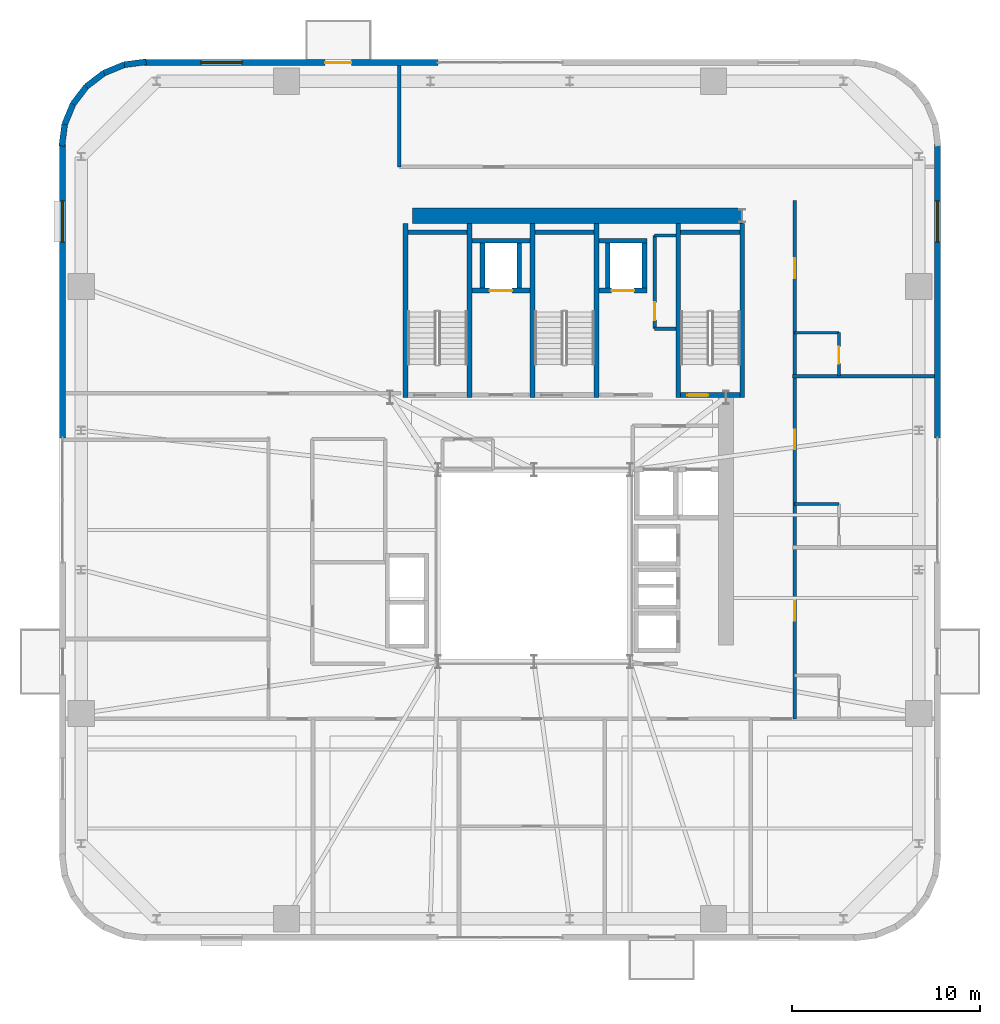
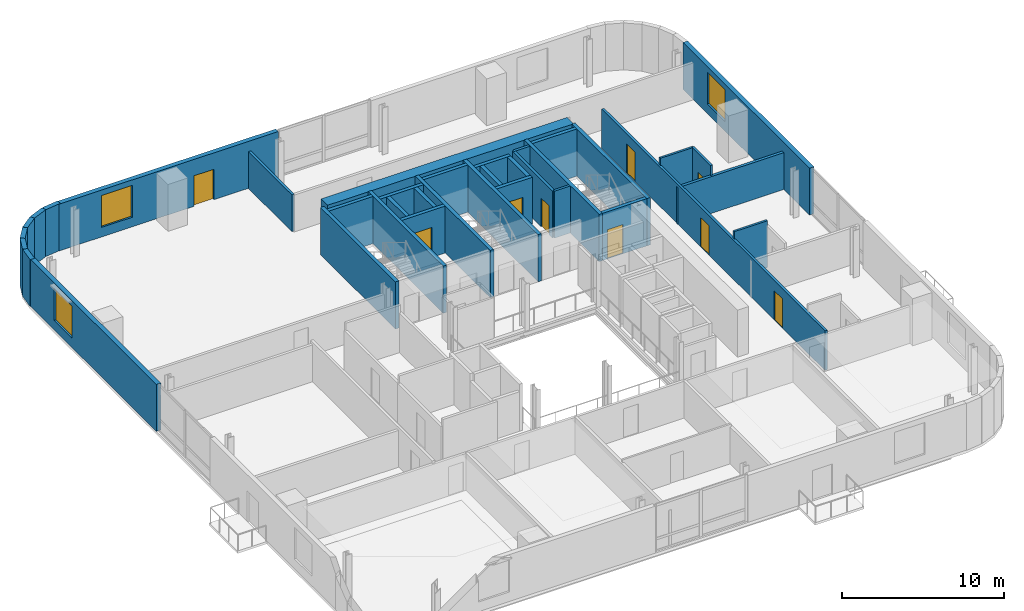
# One storey, part 10 of 16: 37 walls, 9 doors, 3 windows, 12 openings.
"""IFC4 building model written with IfcOpenShell, lengths in metres."""

from ifc_helpers import new_model, si_unit, direction, frame, frame_2d, origin, place, context, subcontext, project, spatial, rectangle, extrude, source, transform, mapped, material, layer, layer_set, type_object, element, fill, save


model = new_model("IFC4")

# Units and contexts
model_context = context("Model", 3, precision=1e-05, world=origin(), true_north=direction((0.0, 1.0)))
body_context = subcontext(model_context, "Body", "Model", "MODEL_VIEW")
ifc_project = project(units=[si_unit("LENGTHUNIT", "METRE"), si_unit("AREAUNIT", "SQUARE_METRE"), si_unit("VOLUMEUNIT", "CUBIC_METRE"), si_unit("PLANEANGLEUNIT", "RADIAN"), si_unit("MASSUNIT", "GRAM", prefix="KILO")], contexts=[model_context])

# Site, building, storey
site_placement = place(None, origin())
site = spatial("IfcSite", under=ifc_project, at=site_placement, CompositionType="ELEMENT")
building_placement = place(site_placement, origin())
building = spatial("IfcBuilding", under=site, at=building_placement, Name="Vardaveli Station Tower", CompositionType="ELEMENT")
storey_placement = place(building_placement, frame((0.0, 0.0, 192.300048828125)))
storey = spatial("IfcBuildingStorey", under=building, at=storey_placement, Name="L49", CompositionType="ELEMENT", Elevation=192.300048828125)

# Wall
ifc_material_1 = material(Name="Concrete C50/60", Category="concrete")
ifc_layer_1 = layer(ifc_material_1, 0.800048828125, Name="Concrete C50/60")
ifc_layer_set_1 = layer_set([ifc_layer_1], Name="Concrete C50/60")
wall_type_1 = type_object("IfcWallType", Name="WAL-CORE-800", PredefinedType="SHEAR", material=ifc_layer_set_1)
shared_shape_1 = source(origin(), body_context, "Body", "SweptSolid", [
    extrude(rectangle(XDim=17.52001953125, YDim=0.800048828125, at=frame_2d((8.760009765625, 0.0))), origin(), (0.0, 0.0, 1.0), 3.530029296875),
])
wall_1_placement = place(storey_placement, frame((29.85009765625, 40.300048828125, 0.0), z_axis=(0.0, 0.0, 1.0), x_axis=(1.0, 0.0, 0.0)))
element("IfcWall", 1, at=wall_1_placement, inside=storey, type_object=wall_type_1, Name="SW-L49-NORTH", PredefinedType="SHEAR", context=body_context, shape_type="MappedRepresentation", body=[
    mapped(shared_shape_1, transform((0.0, 0.0, 0.0), scale=1.0)),
])

# Wall, openings, door, window
ifc_material_2 = material(Name="Precast concrete C45/55", Category="concrete")
ifc_layer_2 = layer(ifc_material_2, 0.320068359375, Name="Precast concrete C45/55")
ifc_layer_set_2 = layer_set([ifc_layer_2], Name="Precast concrete C45/55")
wall_type_2 = type_object("IfcWallType", Name="WAL-EXT-STONE-320", PredefinedType="SOLIDWALL", material=ifc_layer_set_2)
shared_shape_2 = source(origin(), body_context, "Body", "SweptSolid", [
    extrude(rectangle(XDim=15.599853515625, YDim=0.320068359375, at=frame_2d((7.7998046875, 0.0))), origin(), (0.0, 0.0, 1.0), 3.530029296875),
])
wall_2_placement = place(storey_placement, frame((31.199951171875, 48.43994140625, 0.0), z_axis=(0.0, 0.0, 1.0), x_axis=(-1.0, 0.0, 0.0)))
wall_2 = element("IfcWall", 2, at=wall_2_placement, inside=storey, type_object=wall_type_2, Name="EW-L49-N2", PredefinedType="SOLIDWALL", context=body_context, shape_type="MappedRepresentation", body=[
    mapped(shared_shape_2, transform((0.0, 0.0, 0.0), scale=1.0)),
])
shared_shape_3 = source(origin(), body_context, "Body", "SweptSolid", [
    extrude(rectangle(XDim=1.39990234375, YDim=2.300048828125, at=frame_2d((0.699951171875, 1.14990234375))), frame((0.0, 0.169921875, 0.0), z_axis=(0.0, -1.0, 0.0), x_axis=(1.0, 0.0, 0.0)), (0.0, 0.0, 1.0), 0.340087890625),
])
opening_1_placement = place(wall_2_placement, frame((4.589599609375, 0.0, 0.0)))
opening_1 = element("IfcOpeningElement", 3, at=opening_1_placement, cuts=wall_2, Name="Opening D-09", PredefinedType="OPENING", context=body_context, shape_type="MappedRepresentation", body=[
    mapped(shared_shape_3, transform((0.0, 0.0, 0.0), scale=1.0)),
])
shared_shape_4 = source(origin(), body_context, "Body", "SweptSolid", [
    extrude(rectangle(XDim=2.199951171875, YDim=2.39990234375, at=frame_2d((1.10009765625, 1.199951171875))), frame((0.0, 0.169921875, 0.0), z_axis=(0.0, -1.0, 0.0), x_axis=(1.0, 0.0, 0.0)), (0.0, 0.0, 1.0), 0.340087890625),
])
opening_2_placement = place(wall_2_placement, frame((10.39501953125, 0.0, 0.719970703125)))
opening_2 = element("IfcOpeningElement", 4, at=opening_2_placement, cuts=wall_2, Name="Opening W-03", PredefinedType="OPENING", context=body_context, shape_type="MappedRepresentation", body=[
    mapped(shared_shape_4, transform((0.0, 0.0, 0.0), scale=1.0)),
])
ifc_material_3 = material(Name="Thermally broken aluminium glass", Category="aluminium")
door_type_1 = type_object("IfcDoorType", Name="DR-LOG-1400x2300", OperationType="DOUBLE_DOOR_SLIDING", PredefinedType="DOOR", material=ifc_material_3)
shared_shape_5 = source(origin(), body_context, "Body", "SweptSolid", [
    extrude(rectangle(XDim=1.39990234375, YDim=2.300048828125, at=frame_2d((0.699951171875, 1.14990234375))), frame((0.0, 0.02490234375, 0.0), z_axis=(0.0, -1.0, 0.0), x_axis=(1.0, 0.0, 0.0)), (0.0, 0.0, 1.0), 0.050048828125),
])
door_1_placement = place(opening_1_placement, frame((1.39990234375, 0.0, 0.0), z_axis=(0.0, 0.0, 1.0), x_axis=(-1.0, 0.0, 0.0)))
door_1 = element("IfcDoor", 5, at=door_1_placement, inside=storey, type_object=door_type_1, Name="DLG-L49-N", OperationType="DOUBLE_DOOR_SLIDING", OverallHeight=2.300048828125, OverallWidth=1.39990234375, PredefinedType="DOOR", context=body_context, shape_type="MappedRepresentation", body=[
    mapped(shared_shape_5, transform((0.0, 0.0, 0.0), scale=1.0)),
])
fill(opening_1, door_1)
ifc_material_4 = material(Name="Low-E solar-control glass", Category="glass")
window_type = type_object("IfcWindowType", Name="WIN-LOG-2200x2400", PartitioningType="SINGLE_PANEL", PredefinedType="WINDOW", material=ifc_material_4)
shared_shape_6 = source(origin(), body_context, "Body", "SweptSolid", [
    extrude(rectangle(XDim=2.199951171875, YDim=2.39990234375, at=frame_2d((1.10009765625, 1.199951171875))), frame((0.0, 0.030029296875, 0.0), z_axis=(0.0, -1.0, 0.0), x_axis=(1.0, 0.0, 0.0)), (0.0, 0.0, 1.0), 0.06005859375),
])
window_1_placement = place(opening_2_placement, origin())
window_1 = element("IfcWindow", 6, at=window_1_placement, inside=storey, type_object=window_type, Name="WN-L49-N2", OverallHeight=2.39990234375, OverallWidth=2.199951171875, PartitioningType="SINGLE_PANEL", PredefinedType="WINDOW", context=body_context, shape_type="MappedRepresentation", body=[
    mapped(shared_shape_6, transform((0.0, 0.0, 0.0), scale=1.0)),
])
fill(opening_2, window_1)

# Wall, opening, window
shared_shape_7 = source(origin(), body_context, "Body", "SweptSolid", [
    extrude(rectangle(XDim=15.60009765625, YDim=0.320068359375, at=frame_2d((7.800048828125, 0.0))), origin(), (0.0, 0.0, 1.0), 3.530029296875),
])
wall_3_placement = place(storey_placement, frame((11.260009765625, 44.10009765625, 0.0), z_axis=(0.0, 0.0, 1.0), x_axis=(0.0, -1.0, 0.0)))
wall_3 = element("IfcWall", 7, at=wall_3_placement, inside=storey, type_object=wall_type_2, Name="EW-L49-W1", PredefinedType="SOLIDWALL", context=body_context, shape_type="MappedRepresentation", body=[
    mapped(shared_shape_7, transform((0.0, 0.0, 0.0), scale=1.0)),
])
opening_3_placement = place(wall_3_placement, frame((3.0048828125, 0.0, 0.719970703125)))
opening_3 = element("IfcOpeningElement", 8, at=opening_3_placement, cuts=wall_3, Name="Opening W-03", PredefinedType="OPENING", context=body_context, shape_type="MappedRepresentation", body=[
    mapped(shared_shape_4, transform((0.0, 0.0, 0.0), scale=1.0)),
])
window_2_placement = place(opening_3_placement, origin())
window_2 = element("IfcWindow", 9, at=window_2_placement, inside=storey, type_object=window_type, Name="WN-L49-W1", OverallHeight=2.39990234375, OverallWidth=2.199951171875, PartitioningType="SINGLE_PANEL", PredefinedType="WINDOW", context=body_context, shape_type="MappedRepresentation", body=[
    mapped(shared_shape_6, transform((0.0, 0.0, 0.0), scale=1.0)),
])
fill(opening_3, window_2)

wall_4_placement = place(storey_placement, frame((57.739990234375, 28.5, 0.0), z_axis=(0.0, 0.0, 1.0), x_axis=(0.0, 1.0, 0.0)))
wall_4 = element("IfcWall", 10, at=wall_4_placement, inside=storey, type_object=wall_type_2, Name="EW-L49-E2", PredefinedType="SOLIDWALL", context=body_context, shape_type="MappedRepresentation", body=[
    mapped(shared_shape_7, transform((0.0, 0.0, 0.0), scale=1.0)),
])
opening_4_placement = place(wall_4_placement, frame((10.39501953125, 0.0, 0.719970703125)))
opening_4 = element("IfcOpeningElement", 11, at=opening_4_placement, cuts=wall_4, Name="Opening W-03", PredefinedType="OPENING", context=body_context, shape_type="MappedRepresentation", body=[
    mapped(shared_shape_4, transform((0.0, 0.0, 0.0), scale=1.0)),
])
window_3_placement = place(opening_4_placement, origin())
window_3 = element("IfcWindow", 12, at=window_3_placement, inside=storey, type_object=window_type, Name="WN-L49-E2", OverallHeight=2.39990234375, OverallWidth=2.199951171875, PartitioningType="SINGLE_PANEL", PredefinedType="WINDOW", context=body_context, shape_type="MappedRepresentation", body=[
    mapped(shared_shape_6, transform((0.0, 0.0, 0.0), scale=1.0)),
])
fill(opening_4, window_3)

# Walls
shared_shape_8 = source(origin(), body_context, "Body", "SweptSolid", [
    extrude(rectangle(XDim=1.1689453125, YDim=0.320068359375, at=frame_2d((0.58447265625, 0.0))), origin(), (0.0, 0.0, 1.0), 3.530029296875),
])
wall_5_placement = place(storey_placement, frame((12.53125, 47.1689453125, 0.0), z_axis=(0.0, 0.0, 1.0), x_axis=(-0.608387696831, -0.793639975269, 0.0)))
element("IfcWall", 13, at=wall_5_placement, inside=storey, type_object=wall_type_2, Name="EW-L49-CR4-4", PredefinedType="SOLIDWALL", context=body_context, shape_type="MappedRepresentation", body=[
    mapped(shared_shape_8, transform((0.0, 0.0, 0.0), scale=1.0)),
])
shared_shape_9 = source(origin(), body_context, "Body", "SweptSolid", [
    extrude(rectangle(XDim=1.168701171875, YDim=0.320068359375, at=frame_2d((0.58447265625, 0.0))), origin(), (0.0, 0.0, 1.0), 3.530029296875),
])
wall_6_placement = place(storey_placement, frame((13.458740234375, 47.8798828125, 0.0), z_axis=(0.0, 0.0, 1.0), x_axis=(-0.793663520347, -0.608356981114, 0.0)))
element("IfcWall", 14, at=wall_6_placement, inside=storey, type_object=wall_type_2, Name="EW-L49-CR4-3", PredefinedType="SOLIDWALL", context=body_context, shape_type="MappedRepresentation", body=[
    mapped(shared_shape_9, transform((0.0, 0.0, 0.0), scale=1.0)),
])
shared_shape_10 = source(origin(), body_context, "Body", "SweptSolid", [
    extrude(rectangle(XDim=1.17041015625, YDim=0.320068359375, at=frame_2d((0.585205078125, 0.0))), origin(), (0.0, 0.0, 1.0), 3.530029296875),
])
for number, where, z_axis, x_axis, name in (
    (15, (15.700439453125, 48.4755859375, 0.0), (0.0, 0.0, 1.0), (-0.991735963317, -0.128295670475, 0.0), "EW-L49-CR4-1"),
    (16, (11.37451171875, 45.16015625, 0.0), (0.0, 0.0, 1.0), (-0.128295670475, -0.991735963317, 0.0), "EW-L49-CR4-6"),
):
    element("IfcWall", number, at=place(storey_placement, frame(where, z_axis=z_axis, x_axis=x_axis)), inside=storey, type_object=wall_type_2, Name=name, PredefinedType="SOLIDWALL", context=body_context, shape_type="MappedRepresentation", body=[
        mapped(shared_shape_10, transform((0.0, 0.0, 0.0), scale=1.0)),
    ])
shared_shape_11 = source(origin(), body_context, "Body", "SweptSolid", [
    extrude(rectangle(XDim=1.169189453125, YDim=0.320068359375, at=frame_2d((0.58447265625, 0.0))), origin(), (0.0, 0.0, 1.0), 3.530029296875),
])
for number, where, z_axis, x_axis, name in (
    (17, (14.539794921875, 48.325439453125, 0.0), (0.0, 0.0, 1.0), (-0.924552646638, -0.381054331552, 0.0), "EW-L49-CR4-2"),
    (18, (11.820068359375, 46.2412109375, 0.0), (0.0, 0.0, 1.0), (-0.381054331552, -0.924552646638, 0.0), "EW-L49-CR4-5"),
):
    element("IfcWall", number, at=place(storey_placement, frame(where, z_axis=z_axis, x_axis=x_axis)), inside=storey, type_object=wall_type_2, Name=name, PredefinedType="SOLIDWALL", context=body_context, shape_type="MappedRepresentation", body=[
        mapped(shared_shape_11, transform((0.0, 0.0, 0.0), scale=1.0)),
    ])
ifc_material_5 = material(Name="Concrete C40/50", Category="concrete")
ifc_layer_3 = layer(ifc_material_5, 0.25, Name="Concrete C40/50")
ifc_layer_set_3 = layer_set([ifc_layer_3], Name="Concrete C40/50")
wall_type_3 = type_object("IfcWallType", Name="WAL-SHAFT-250", PredefinedType="SOLIDWALL", material=ifc_layer_set_3)
shared_shape_12 = source(origin(), body_context, "Body", "SweptSolid", [
    extrude(rectangle(XDim=9.25, YDim=0.25, at=frame_2d((4.625, 0.0))), origin(), (0.0, 0.0, 1.0), 3.550048828125),
])
for number, where, z_axis, x_axis, name in (
    (19, (29.47509765625, 30.64990234375, 0.0), (0.0, 0.0, 1.0), (0.0, 1.0, 0.0), "W-L49-ST-1W"),
    (20, (32.875, 30.64990234375, 0.0), (0.0, 0.0, 1.0), (0.0, 1.0, 0.0), "W-L49-ST-1E"),
    (21, (36.22509765625, 30.64990234375, 0.0), (0.0, 0.0, 1.0), (0.0, 1.0, 0.0), "W-L49-ST-2W"),
    (22, (39.625, 30.64990234375, 0.0), (0.0, 0.0, 1.0), (0.0, 1.0, 0.0), "W-L49-ST-2E"),
    (23, (43.97509765625, 30.64990234375, 0.0), (0.0, 0.0, 1.0), (0.0, 1.0, 0.0), "W-L49-ST-3W"),
    (24, (47.375, 30.64990234375, 0.0), (0.0, 0.0, 1.0), (0.0, 1.0, 0.0), "W-L49-ST-3E"),
):
    element("IfcWall", number, at=place(storey_placement, frame(where, z_axis=z_axis, x_axis=x_axis)), inside=storey, type_object=wall_type_3, Name=name, PredefinedType="SOLIDWALL", context=body_context, shape_type="MappedRepresentation", body=[
        mapped(shared_shape_12, transform((0.0, 0.0, 0.0), scale=1.0)),
    ])
shared_shape_13 = source(origin(), body_context, "Body", "SweptSolid", [
    extrude(rectangle(XDim=3.14990234375, YDim=0.25, at=frame_2d((1.574951171875, 0.0))), origin(), (0.0, 0.0, 1.0), 3.550048828125),
])
for number, where, z_axis, x_axis, name in (
    (25, (29.60009765625, 39.425048828125, 0.0), (0.0, 0.0, 1.0), (1.0, 0.0, 0.0), "W-L49-ST-1N"),
    (26, (36.35009765625, 39.425048828125, 0.0), (0.0, 0.0, 1.0), (1.0, 0.0, 0.0), "W-L49-ST-2N"),
    (27, (44.10009765625, 39.425048828125, 0.0), (0.0, 0.0, 1.0), (1.0, 0.0, 0.0), "W-L49-ST-3N"),
):
    element("IfcWall", number, at=place(storey_placement, frame(where, z_axis=z_axis, x_axis=x_axis)), inside=storey, type_object=wall_type_3, Name=name, PredefinedType="SOLIDWALL", context=body_context, shape_type="MappedRepresentation", body=[
        mapped(shared_shape_13, transform((0.0, 0.0, 0.0), scale=1.0)),
    ])

# Wall, opening, door
wall_7_placement = place(storey_placement, frame((44.10009765625, 30.77490234375, 0.0), z_axis=(0.0, 0.0, 1.0), x_axis=(1.0, 0.0, 0.0)))
wall_7 = element("IfcWall", 28, at=wall_7_placement, inside=storey, type_object=wall_type_3, Name="W-L49-ST-3S", PredefinedType="SOLIDWALL", context=body_context, shape_type="MappedRepresentation", body=[
    mapped(shared_shape_13, transform((0.0, 0.0, 0.0), scale=1.0)),
])
shared_shape_14 = source(origin(), body_context, "Body", "SweptSolid", [
    extrude(rectangle(XDim=1.10009765625, YDim=2.199951171875, at=frame_2d((0.550048828125, 1.10009765625))), frame((0.0, 0.135009765625, 0.0), z_axis=(0.0, -1.0, 0.0), x_axis=(1.0, 0.0, 0.0)), (0.0, 0.0, 1.0), 0.27001953125),
])
opening_5_placement = place(wall_7_placement, frame((0.35009765625, 0.0, 0.0)))
opening_5 = element("IfcOpeningElement", 29, at=opening_5_placement, cuts=wall_7, Name="Opening D-04", PredefinedType="OPENING", context=body_context, shape_type="MappedRepresentation", body=[
    mapped(shared_shape_14, transform((0.0, 0.0, 0.0), scale=1.0)),
])
ifc_material_6 = material(Name="Steel smokeproof fire doorset", Category="steel")
door_type_2 = type_object("IfcDoorType", Name="DR-ST-1100x2200", OperationType="NOTDEFINED", PredefinedType="DOOR", material=ifc_material_6)
shared_shape_15 = source(origin(), body_context, "Body", "SweptSolid", [
    extrude(rectangle(XDim=1.10009765625, YDim=2.199951171875, at=frame_2d((0.550048828125, 1.10009765625))), frame((0.0, 0.02490234375, 0.0), z_axis=(0.0, -1.0, 0.0), x_axis=(1.0, 0.0, 0.0)), (0.0, 0.0, 1.0), 0.050048828125),
])
door_2_placement = place(opening_5_placement, origin())
door_2 = element("IfcDoor", 30, at=door_2_placement, inside=storey, type_object=door_type_2, Name="DST-3-L49", OperationType="SINGLE_SWING_LEFT", OverallHeight=2.199951171875, OverallWidth=1.10009765625, PredefinedType="DOOR", context=body_context, shape_type="MappedRepresentation", body=[
    mapped(shared_shape_15, transform((0.0, 0.0, 0.0), scale=1.0)),
])
fill(opening_5, door_2)

shared_shape_16 = source(origin(), body_context, "Body", "SweptSolid", [
    extrude(rectangle(XDim=3.10009765625, YDim=0.25, at=frame_2d((1.550048828125, 0.0))), origin(), (0.0, 0.0, 1.0), 3.530029296875),
])
wall_8_placement = place(storey_placement, frame((33.0, 36.324951171875, 0.0), z_axis=(0.0, 0.0, 1.0), x_axis=(1.0, 0.0, 0.0)))
wall_8 = element("IfcWall", 31, at=wall_8_placement, inside=storey, type_object=wall_type_3, Name="SHW-FFL-01-L49-S", PredefinedType="SOLIDWALL", context=body_context, shape_type="MappedRepresentation", body=[
    mapped(shared_shape_16, transform((0.0, 0.0, 0.0), scale=1.0)),
])
shared_shape_17 = source(origin(), body_context, "Body", "SweptSolid", [
    extrude(rectangle(XDim=1.199951171875, YDim=2.25, at=frame_2d((0.60009765625, 1.125))), frame((0.0, 0.135009765625, 0.0), z_axis=(0.0, -1.0, 0.0), x_axis=(1.0, 0.0, 0.0)), (0.0, 0.0, 1.0), 0.27001953125),
])
opening_6_placement = place(wall_8_placement, frame((0.949951171875, 0.0, 0.0)))
opening_6 = element("IfcOpeningElement", 32, at=opening_6_placement, cuts=wall_8, Name="Opening LD-02", PredefinedType="OPENING", context=body_context, shape_type="MappedRepresentation", body=[
    mapped(shared_shape_17, transform((0.0, 0.0, 0.0), scale=1.0)),
])
ifc_material_7 = material(Name="Brushed stainless steel", Category="steel")
door_type_3 = type_object("IfcDoorType", Name="DR-LD-1200x2250", OperationType="DOUBLE_DOOR_SLIDING", PredefinedType="DOOR", material=ifc_material_7)
shared_shape_18 = source(origin(), body_context, "Body", "SweptSolid", [
    extrude(rectangle(XDim=1.199951171875, YDim=2.25, at=frame_2d((0.60009765625, 1.125))), frame((0.0, 0.02490234375, 0.0), z_axis=(0.0, -1.0, 0.0), x_axis=(1.0, 0.0, 0.0)), (0.0, 0.0, 1.0), 0.050048828125),
])
door_3_placement = place(opening_6_placement, origin())
door_3 = element("IfcDoor", 33, at=door_3_placement, inside=storey, type_object=door_type_3, Name="LD-FFL-01-L49", OperationType="DOUBLE_DOOR_SLIDING", OverallHeight=2.25, OverallWidth=1.199951171875, PredefinedType="DOOR", context=body_context, shape_type="MappedRepresentation", body=[
    mapped(shared_shape_18, transform((0.0, 0.0, 0.0), scale=1.0)),
])
fill(opening_6, door_3)

# Walls
wall_9_placement = place(storey_placement, frame((33.0, 38.97509765625, 0.0), z_axis=(0.0, 0.0, 1.0), x_axis=(1.0, 0.0, 0.0)))
element("IfcWall", 34, at=wall_9_placement, inside=storey, type_object=wall_type_3, Name="SHW-FFL-01-L49-N", PredefinedType="SOLIDWALL", context=body_context, shape_type="MappedRepresentation", body=[
    mapped(shared_shape_16, transform((0.0, 0.0, 0.0), scale=1.0)),
])
shared_shape_19 = source(origin(), body_context, "Body", "SweptSolid", [
    extrude(rectangle(XDim=2.400146484375, YDim=0.25, at=frame_2d((1.2001953125, 0.0))), origin(), (0.0, 0.0, 1.0), 3.530029296875),
])
for number, where, z_axis, x_axis, name in (
    (35, (33.574951171875, 36.449951171875, 0.0), (0.0, 0.0, 1.0), (0.0, 1.0, 0.0), "SHW-FFL-01-L49-W"),
    (36, (35.52490234375, 36.449951171875, 0.0), (0.0, 0.0, 1.0), (0.0, 1.0, 0.0), "SHW-FFL-01-L49-E"),
    (37, (40.22509765625, 36.449951171875, 0.0), (0.0, 0.0, 1.0), (0.0, 1.0, 0.0), "SHW-FFL-02-L49-W"),
    (38, (42.175048828125, 36.449951171875, 0.0), (0.0, 0.0, 1.0), (0.0, 1.0, 0.0), "SHW-FFL-02-L49-E"),
):
    element("IfcWall", number, at=place(storey_placement, frame(where, z_axis=z_axis, x_axis=x_axis)), inside=storey, type_object=wall_type_3, Name=name, PredefinedType="SOLIDWALL", context=body_context, shape_type="MappedRepresentation", body=[
        mapped(shared_shape_19, transform((0.0, 0.0, 0.0), scale=1.0)),
    ])

# Wall, opening, door
shared_shape_20 = source(origin(), body_context, "Body", "SweptSolid", [
    extrude(rectangle(XDim=2.550048828125, YDim=0.25, at=frame_2d((1.27490234375, 0.0))), origin(), (0.0, 0.0, 1.0), 3.530029296875),
])
wall_10_placement = place(storey_placement, frame((39.75, 36.324951171875, 0.0), z_axis=(0.0, 0.0, 1.0), x_axis=(1.0, 0.0, 0.0)))
wall_10 = element("IfcWall", 39, at=wall_10_placement, inside=storey, type_object=wall_type_3, Name="SHW-FFL-02-L49-S", PredefinedType="SOLIDWALL", context=body_context, shape_type="MappedRepresentation", body=[
    mapped(shared_shape_20, transform((0.0, 0.0, 0.0), scale=1.0)),
])
opening_7_placement = place(wall_10_placement, frame((0.675048828125, 0.0, 0.0)))
opening_7 = element("IfcOpeningElement", 40, at=opening_7_placement, cuts=wall_10, Name="Opening LD-02", PredefinedType="OPENING", context=body_context, shape_type="MappedRepresentation", body=[
    mapped(shared_shape_17, transform((0.0, 0.0, 0.0), scale=1.0)),
])
door_4_placement = place(opening_7_placement, origin())
door_4 = element("IfcDoor", 41, at=door_4_placement, inside=storey, type_object=door_type_3, Name="LD-FFL-02-L49", OperationType="DOUBLE_DOOR_SLIDING", OverallHeight=2.25, OverallWidth=1.199951171875, PredefinedType="DOOR", context=body_context, shape_type="MappedRepresentation", body=[
    mapped(shared_shape_18, transform((0.0, 0.0, 0.0), scale=1.0)),
])
fill(opening_7, door_4)

# Wall
wall_11_placement = place(storey_placement, frame((39.75, 38.97509765625, 0.0), z_axis=(0.0, 0.0, 1.0), x_axis=(1.0, 0.0, 0.0)))
element("IfcWall", 42, at=wall_11_placement, inside=storey, type_object=wall_type_3, Name="SHW-FFL-02-L49-N", PredefinedType="SOLIDWALL", context=body_context, shape_type="MappedRepresentation", body=[
    mapped(shared_shape_20, transform((0.0, 0.0, 0.0), scale=1.0)),
])

# Wall, opening, door
ifc_material_8 = material(Name="Moisture-resistant stud partition")
ifc_layer_4 = layer(ifc_material_8, 0.14990234375, Name="Moisture-resistant stud partition")
ifc_layer_set_4 = layer_set([ifc_layer_4], Name="Moisture-resistant stud partition")
wall_type_4 = type_object("IfcWallType", Name="WAL-WET-150", PredefinedType="PARTITIONING", material=ifc_layer_set_4)
shared_shape_21 = source(origin(), body_context, "Body", "SweptSolid", [
    extrude(rectangle(XDim=2.289794921875, YDim=0.14990234375, at=frame_2d((1.14501953125, 0.0))), origin(), (0.0, 0.0, 1.0), 3.530029296875),
])
wall_12_placement = place(storey_placement, frame((52.510009765625, 31.797119140625, 0.0), z_axis=(0.0, 0.0, 1.0), x_axis=(0.0, 1.0, 0.0)))
wall_12 = element("IfcWall", 43, at=wall_12_placement, inside=storey, type_object=wall_type_4, Name="W-L49-BE3-E", PredefinedType="PARTITIONING", context=body_context, shape_type="MappedRepresentation", body=[
    mapped(shared_shape_21, transform((0.0, 0.0, 0.0), scale=1.0)),
])
shared_shape_22 = source(origin(), body_context, "Body", "SweptSolid", [
    extrude(rectangle(XDim=0.89990234375, YDim=2.10009765625, at=frame_2d((0.449951171875, 1.050048828125))), frame((0.0, 0.0849609375, 0.0), z_axis=(0.0, -1.0, 0.0), x_axis=(1.0, 0.0, 0.0)), (0.0, 0.0, 1.0), 0.169921875),
])
opening_8_placement = place(wall_12_placement, frame((0.64990234375, 0.0, 0.0)))
opening_8 = element("IfcOpeningElement", 44, at=opening_8_placement, cuts=wall_12, Name="Opening D-08", PredefinedType="OPENING", context=body_context, shape_type="MappedRepresentation", body=[
    mapped(shared_shape_22, transform((0.0, 0.0, 0.0), scale=1.0)),
])
ifc_material_9 = material(Name="Moisture-resistant oak door")
door_type_4 = type_object("IfcDoorType", Name="DR-BATH-900x2100", OperationType="NOTDEFINED", PredefinedType="DOOR", material=ifc_material_9)
shared_shape_23 = source(origin(), body_context, "Body", "SweptSolid", [
    extrude(rectangle(XDim=0.89990234375, YDim=2.10009765625, at=frame_2d((0.449951171875, 1.050048828125))), frame((0.0, 0.02490234375, 0.0), z_axis=(0.0, -1.0, 0.0), x_axis=(1.0, 0.0, 0.0)), (0.0, 0.0, 1.0), 0.050048828125),
])
door_5_placement = place(opening_8_placement, origin())
door_5 = element("IfcDoor", 45, at=door_5_placement, inside=storey, type_object=door_type_4, Name="D-L49-BE3", OperationType="SINGLE_SWING_LEFT", OverallHeight=2.10009765625, OverallWidth=0.89990234375, PredefinedType="DOOR", context=body_context, shape_type="MappedRepresentation", body=[
    mapped(shared_shape_23, transform((0.0, 0.0, 0.0), scale=1.0)),
])
fill(opening_8, door_5)

# Walls
ifc_material_10 = material(Name="Acoustic twin-stud gypsum partition")
ifc_layer_5 = layer(ifc_material_10, 0.199951171875, Name="Acoustic twin-stud gypsum partition")
ifc_layer_set_5 = layer_set([ifc_layer_5], Name="Acoustic twin-stud gypsum partition")
wall_type_5 = type_object("IfcWallType", Name="WAL-PARTY-200", PredefinedType="PARTITIONING", material=ifc_layer_set_5)
shared_shape_24 = source(origin(), body_context, "Body", "SweptSolid", [
    extrude(rectangle(XDim=7.52783203125, YDim=0.199951171875, at=frame_2d((3.763916015625, 0.0))), origin(), (0.0, 0.0, 1.0), 2.77197265625),
])
wall_13_placement = place(storey_placement, frame((50.050048828125, 31.777099609375, 0.0), z_axis=(0.0, 0.0, 1.0), x_axis=(1.0, 0.0, 0.0)))
element("IfcWall", 46, at=wall_13_placement, inside=storey, type_object=wall_type_5, Name="W-L49-PE2", PredefinedType="PARTITIONING", context=body_context, shape_type="MappedRepresentation", body=[
    mapped(shared_shape_24, transform((0.0, 0.0, 0.0), scale=1.0)),
])
ifc_material_11 = material(Name="Fire-rated gypsum stud partition")
ifc_layer_6 = layer(ifc_material_11, 0.179931640625, Name="Fire-rated gypsum stud partition")
ifc_layer_set_6 = layer_set([ifc_layer_6], Name="Fire-rated gypsum stud partition")
wall_type_6 = type_object("IfcWallType", Name="WAL-CORR-180", PredefinedType="PARTITIONING", material=ifc_layer_set_6)
shared_shape_25 = source(origin(), body_context, "Body", "SweptSolid", [
    extrude(rectangle(XDim=5.378173828125, YDim=0.179931640625, at=frame_2d((2.68896484375, 0.0))), origin(), (0.0, 0.0, 1.0), 2.77197265625),
])
wall_14_placement = place(storey_placement, frame((29.14990234375, 42.89990234375, 0.0), z_axis=(0.0, 0.0, 1.0), x_axis=(0.0, 1.0, 0.0)))
element("IfcWall", 47, at=wall_14_placement, inside=storey, type_object=wall_type_6, Name="W-L49-NPW", PredefinedType="PARTITIONING", context=body_context, shape_type="MappedRepresentation", body=[
    mapped(shared_shape_25, transform((0.0, 0.0, 0.0), scale=1.0)),
])
shared_shape_26 = source(origin(), body_context, "Body", "SweptSolid", [
    extrude(rectangle(XDim=2.360107421875, YDim=0.14990234375, at=frame_2d((1.18017578125, 0.0))), origin(), (0.0, 0.0, 1.0), 3.530029296875),
])
for number, where, z_axis, x_axis, name in (
    (48, (50.14990234375, 24.98291015625, 0.0), (0.0, 0.0, 1.0), (1.0, 0.0, 0.0), "W-L49-BE2-N"),
    (49, (50.14990234375, 34.0869140625, 0.0), (0.0, 0.0, 1.0), (1.0, 0.0, 0.0), "W-L49-BE3-N"),
):
    element("IfcWall", number, at=place(storey_placement, frame(where, z_axis=z_axis, x_axis=x_axis)), inside=storey, type_object=wall_type_4, Name=name, PredefinedType="PARTITIONING", context=body_context, shape_type="MappedRepresentation", body=[
        mapped(shared_shape_26, transform((0.0, 0.0, 0.0), scale=1.0)),
    ])

# Wall, openings, doors
shared_shape_27 = source(origin(), body_context, "Body", "SweptSolid", [
    extrude(rectangle(XDim=27.530029296875, YDim=0.179931640625, at=frame_2d((13.76513671875, 0.0))), origin(), (0.0, 0.0, 1.0), 2.971923828125),
])
wall_15_placement = place(storey_placement, frame((50.14990234375, 13.570068359375, 0.0), z_axis=(0.0, 0.0, 1.0), x_axis=(0.0, 1.0, 0.0)))
wall_15 = element("IfcWall", 50, at=wall_15_placement, inside=storey, type_object=wall_type_6, Name="W-L49-CE", PredefinedType="PARTITIONING", context=body_context, shape_type="MappedRepresentation", body=[
    mapped(shared_shape_27, transform((0.0, 0.0, 0.0), scale=1.0)),
])
shared_shape_28 = source(origin(), body_context, "Body", "SweptSolid", [
    extrude(rectangle(XDim=1.050048828125, YDim=2.199951171875, at=frame_2d((0.52490234375, 1.10009765625))), frame((0.0, 0.10009765625, 0.0), z_axis=(0.0, -1.0, 0.0), x_axis=(1.0, 0.0, 0.0)), (0.0, 0.0, 1.0), 0.199951171875),
])
opening_9_placement = place(wall_15_placement, frame((5.216796875, 0.0, 0.0)))
opening_9 = element("IfcOpeningElement", 51, at=opening_9_placement, cuts=wall_15, Name="Opening D-05", PredefinedType="OPENING", context=body_context, shape_type="MappedRepresentation", body=[
    mapped(shared_shape_28, transform((0.0, 0.0, 0.0), scale=1.0)),
])
opening_10_placement = place(wall_15_placement, frame((14.320068359375, 0.0, 0.0)))
opening_10 = element("IfcOpeningElement", 52, at=opening_10_placement, cuts=wall_15, Name="Opening D-05", PredefinedType="OPENING", context=body_context, shape_type="MappedRepresentation", body=[
    mapped(shared_shape_28, transform((0.0, 0.0, 0.0), scale=1.0)),
])
opening_11_placement = place(wall_15_placement, frame((23.42333984375, 0.0, 0.0)))
opening_11 = element("IfcOpeningElement", 53, at=opening_11_placement, cuts=wall_15, Name="Opening D-05", PredefinedType="OPENING", context=body_context, shape_type="MappedRepresentation", body=[
    mapped(shared_shape_28, transform((0.0, 0.0, 0.0), scale=1.0)),
])
ifc_material_12 = material(Name="Walnut veneer acoustic fire door")
door_type_5 = type_object("IfcDoorType", Name="DR-SUITE-1050x2200", OperationType="NOTDEFINED", PredefinedType="DOOR", material=ifc_material_12)
shared_shape_29 = source(origin(), body_context, "Body", "SweptSolid", [
    extrude(rectangle(XDim=1.050048828125, YDim=2.199951171875, at=frame_2d((0.52490234375, 1.10009765625))), frame((0.0, 0.02490234375, 0.0), z_axis=(0.0, -1.0, 0.0), x_axis=(1.0, 0.0, 0.0)), (0.0, 0.0, 1.0), 0.050048828125),
])
door_6_placement = place(opening_9_placement, origin())
door_6 = element("IfcDoor", 54, at=door_6_placement, inside=storey, type_object=door_type_5, Name="D-L49-GE1", OperationType="SINGLE_SWING_LEFT", OverallHeight=2.199951171875, OverallWidth=1.050048828125, PredefinedType="DOOR", context=body_context, shape_type="MappedRepresentation", body=[
    mapped(shared_shape_29, transform((0.0, 0.0, 0.0), scale=1.0)),
])
fill(opening_9, door_6)
door_7_placement = place(opening_10_placement, origin())
door_7 = element("IfcDoor", 55, at=door_7_placement, inside=storey, type_object=door_type_5, Name="D-L49-GE2", OperationType="SINGLE_SWING_RIGHT", OverallHeight=2.199951171875, OverallWidth=1.050048828125, PredefinedType="DOOR", context=body_context, shape_type="MappedRepresentation", body=[
    mapped(shared_shape_29, transform((0.0, 0.0, 0.0), scale=1.0)),
])
fill(opening_10, door_7)
door_8_placement = place(opening_11_placement, origin())
door_8 = element("IfcDoor", 56, at=door_8_placement, inside=storey, type_object=door_type_5, Name="D-L49-GE3", OperationType="SINGLE_SWING_LEFT", OverallHeight=2.199951171875, OverallWidth=1.050048828125, PredefinedType="DOOR", context=body_context, shape_type="MappedRepresentation", body=[
    mapped(shared_shape_29, transform((0.0, 0.0, 0.0), scale=1.0)),
])
fill(opening_11, door_8)

# Wall, opening, door
shared_shape_30 = source(origin(), body_context, "Body", "SweptSolid", [
    extrude(rectangle(XDim=4.949951171875, YDim=0.179931640625, at=frame_2d((2.47509765625, 0.0))), origin(), (0.0, 0.0, 1.0), 3.530029296875),
])
wall_16_placement = place(storey_placement, frame((42.719970703125, 34.300048828125, 0.0), z_axis=(0.0, 0.0, 1.0), x_axis=(0.0, 1.0, 0.0)))
wall_16 = element("IfcWall", 57, at=wall_16_placement, inside=storey, type_object=wall_type_6, Name="W-L49-CBS1-W", PredefinedType="PARTITIONING", context=body_context, shape_type="MappedRepresentation", body=[
    mapped(shared_shape_30, transform((0.0, 0.0, 0.0), scale=1.0)),
])
shared_shape_31 = source(origin(), body_context, "Body", "SweptSolid", [
    extrude(rectangle(XDim=0.949951171875, YDim=2.14990234375, at=frame_2d((0.47509765625, 1.074951171875))), frame((0.0, 0.10009765625, 0.0), z_axis=(0.0, -1.0, 0.0), x_axis=(1.0, 0.0, 0.0)), (0.0, 0.0, 1.0), 0.199951171875),
])
opening_12_placement = place(wall_16_placement, frame((0.449951171875, 0.0, 0.0)))
opening_12 = element("IfcOpeningElement", 58, at=opening_12_placement, cuts=wall_16, Name="Opening D-06", PredefinedType="OPENING", context=body_context, shape_type="MappedRepresentation", body=[
    mapped(shared_shape_31, transform((0.0, 0.0, 0.0), scale=1.0)),
])
ifc_material_13 = material(Name="Oak veneer acoustic fire door")
door_type_6 = type_object("IfcDoorType", Name="DR-GUEST-950x2150", OperationType="NOTDEFINED", PredefinedType="DOOR", material=ifc_material_13)
shared_shape_32 = source(origin(), body_context, "Body", "SweptSolid", [
    extrude(rectangle(XDim=0.949951171875, YDim=2.14990234375, at=frame_2d((0.47509765625, 1.074951171875))), frame((0.0, 0.02490234375, 0.0), z_axis=(0.0, -1.0, 0.0), x_axis=(1.0, 0.0, 0.0)), (0.0, 0.0, 1.0), 0.050048828125),
])
door_9_placement = place(opening_12_placement, origin())
door_9 = element("IfcDoor", 59, at=door_9_placement, inside=storey, type_object=door_type_6, Name="D-L49-HKP", OperationType="SINGLE_SWING_LEFT", OverallHeight=2.14990234375, OverallWidth=0.949951171875, PredefinedType="DOOR", context=body_context, shape_type="MappedRepresentation", body=[
    mapped(shared_shape_32, transform((0.0, 0.0, 0.0), scale=1.0)),
])
fill(opening_12, door_9)

# Walls
shared_shape_33 = source(origin(), body_context, "Body", "SweptSolid", [
    extrude(rectangle(XDim=1.1279296875, YDim=0.179931640625, at=frame_2d((0.56396484375, 0.0))), origin(), (0.0, 0.0, 1.0), 3.530029296875),
])
for number, where, z_axis, x_axis, name in (
    (60, (42.719970703125, 34.300048828125, 0.0), (0.0, 0.0, 1.0), (1.0, 0.0, 0.0), "W-L49-CBS1-S"),
    (61, (42.719970703125, 39.25, 0.0), (0.0, 0.0, 1.0), (1.0, 0.0, 0.0), "W-L49-CBS1-N"),
):
    element("IfcWall", number, at=place(storey_placement, frame(where, z_axis=z_axis, x_axis=x_axis)), inside=storey, type_object=wall_type_6, Name=name, PredefinedType="PARTITIONING", context=body_context, shape_type="MappedRepresentation", body=[
        mapped(shared_shape_33, transform((0.0, 0.0, 0.0), scale=1.0)),
    ])

save(model, "model.ifc")
